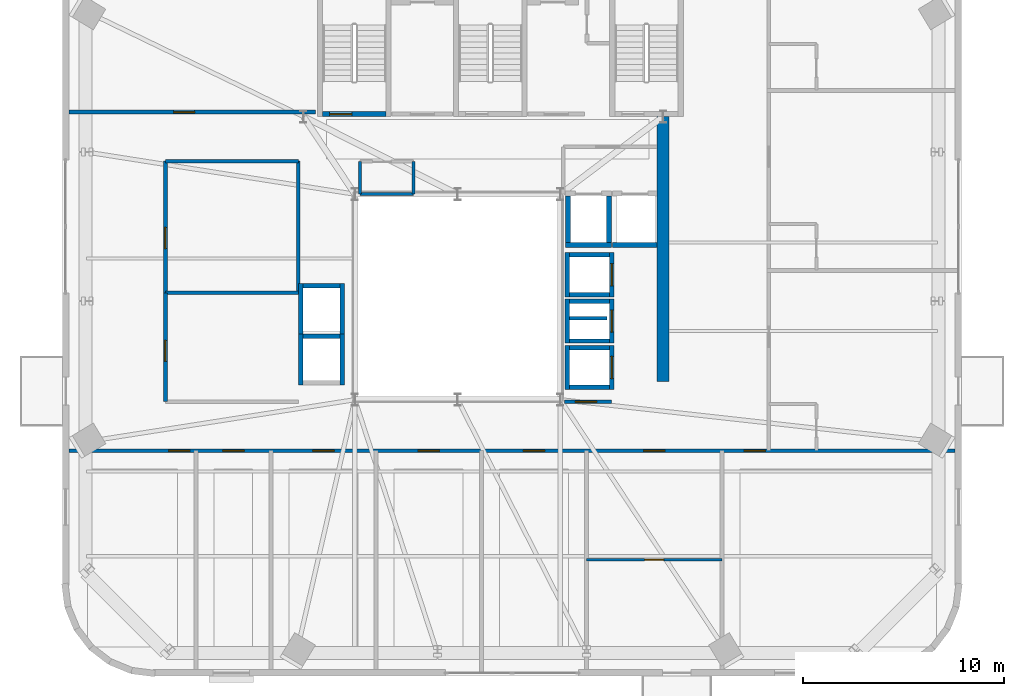
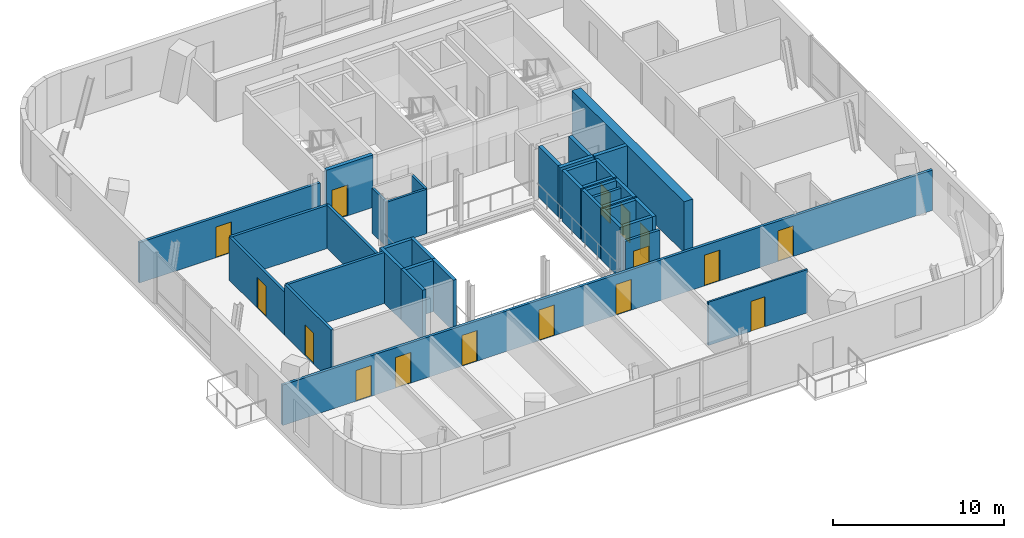
# One storey, part 8 of 15: 37 walls, 16 doors, 16 openings.
"""IFC4 building model written with IfcOpenShell, lengths in metres."""

from ifc_helpers import new_model, si_unit, direction, frame, frame_2d, origin, place, context, subcontext, project, spatial, rectangle, extrude, source, transform, mapped, material, layer, layer_set, type_object, element, fill, save


model = new_model("IFC4")

# Units and contexts
model_context = context("Model", 3, precision=1e-05, world=origin(), true_north=direction((0.0, 1.0)))
body_context = subcontext(model_context, "Body", "Model", "MODEL_VIEW")
ifc_project = project(units=[si_unit("LENGTHUNIT", "METRE"), si_unit("AREAUNIT", "SQUARE_METRE"), si_unit("VOLUMEUNIT", "CUBIC_METRE"), si_unit("PLANEANGLEUNIT", "RADIAN"), si_unit("MASSUNIT", "GRAM", prefix="KILO")], contexts=[model_context])

# Site, building, storey
site_placement = place(None, origin())
site = spatial("IfcSite", under=ifc_project, at=site_placement, CompositionType="ELEMENT")
building_placement = place(site_placement, origin())
building = spatial("IfcBuilding", under=site, at=building_placement, Name="Vardaveli Station Tower", CompositionType="ELEMENT")
storey_placement = place(building_placement, frame((0.0, 0.0, 262.449951171875)))
storey = spatial("IfcBuildingStorey", under=building, at=storey_placement, Name="L67", CompositionType="ELEMENT", Elevation=262.449951171875)

# Wall
ifc_material_1 = material(Name="Concrete C50/60", Category="concrete")
ifc_layer_1 = layer(ifc_material_1, 0.60009765625, Name="Concrete C50/60")
ifc_layer_set_1 = layer_set([ifc_layer_1], Name="Concrete C50/60")
wall_type_1 = type_object("IfcWallType", Name="WAL-CORE-600", PredefinedType="SHEAR", material=ifc_layer_set_1)
shared_shape_1 = source(origin(), body_context, "Body", "SweptSolid", [
    extrude(rectangle(XDim=13.14990234375, YDim=0.60009765625, at=frame_2d((6.574951171875, 0.0))), origin(), (0.0, 0.0, 1.0), 3.650146484375),
])
wall_1_placement = place(storey_placement, frame((46.5, 17.5, 0.0), z_axis=(0.0, 0.0, 1.0), x_axis=(0.0, 1.0, 0.0)))
element("IfcWall", 1, at=wall_1_placement, inside=storey, type_object=wall_type_1, Name="SW-L67-EAST2", PredefinedType="SHEAR", context=body_context, shape_type="MappedRepresentation", body=[
    mapped(shared_shape_1, transform((0.0, 0.0, 0.0), scale=1.0)),
])

# Wall, opening, door
ifc_material_2 = material(Name="Concrete C40/50", Category="concrete")
ifc_layer_2 = layer(ifc_material_2, 0.25, Name="Concrete C40/50")
ifc_layer_set_2 = layer_set([ifc_layer_2], Name="Concrete C40/50")
wall_type_2 = type_object("IfcWallType", Name="WAL-SHAFT-250", PredefinedType="SOLIDWALL", material=ifc_layer_set_2)
shared_shape_2 = source(origin(), body_context, "Body", "SweptSolid", [
    extrude(rectangle(XDim=3.14990234375, YDim=0.25, at=frame_2d((1.574951171875, 0.0))), origin(), (0.0, 0.0, 1.0), 3.75),
])
wall_2_placement = place(storey_placement, frame((29.60009765625, 30.77490234375, 0.0), z_axis=(0.0, 0.0, 1.0), x_axis=(1.0, 0.0, 0.0)))
wall_2 = element("IfcWall", 2, at=wall_2_placement, inside=storey, type_object=wall_type_2, Name="W-L67-ST-1S", PredefinedType="SOLIDWALL", context=body_context, shape_type="MappedRepresentation", body=[
    mapped(shared_shape_2, transform((0.0, 0.0, 0.0), scale=1.0)),
])
shared_shape_3 = source(origin(), body_context, "Body", "SweptSolid", [
    extrude(rectangle(XDim=1.10009765625, YDim=2.199951171875, at=frame_2d((0.550048828125, 1.10009765625))), frame((0.0, 0.135009765625, 0.0), z_axis=(0.0, -1.0, 0.0), x_axis=(1.0, 0.0, 0.0)), (0.0, 0.0, 1.0), 0.27001953125),
])
opening_1_placement = place(wall_2_placement, frame((0.35009765625, 0.0, 0.0)))
opening_1 = element("IfcOpeningElement", 3, at=opening_1_placement, cuts=wall_2, Name="Opening D-04", PredefinedType="OPENING", context=body_context, shape_type="MappedRepresentation", body=[
    mapped(shared_shape_3, transform((0.0, 0.0, 0.0), scale=1.0)),
])
ifc_material_3 = material(Name="Steel smokeproof fire doorset", Category="steel")
door_type_1 = type_object("IfcDoorType", Name="DR-ST-1100x2200", OperationType="NOTDEFINED", PredefinedType="DOOR", material=ifc_material_3)
shared_shape_4 = source(origin(), body_context, "Body", "SweptSolid", [
    extrude(rectangle(XDim=1.10009765625, YDim=2.199951171875, at=frame_2d((0.550048828125, 1.10009765625))), frame((0.0, 0.02490234375, 0.0), z_axis=(0.0, -1.0, 0.0), x_axis=(1.0, 0.0, 0.0)), (0.0, 0.0, 1.0), 0.050048828125),
])
door_1_placement = place(opening_1_placement, origin())
door_1 = element("IfcDoor", 4, at=door_1_placement, inside=storey, type_object=door_type_1, Name="DST-1-L67", OperationType="SINGLE_SWING_LEFT", OverallHeight=2.199951171875, OverallWidth=1.10009765625, PredefinedType="DOOR", context=body_context, shape_type="MappedRepresentation", body=[
    mapped(shared_shape_4, transform((0.0, 0.0, 0.0), scale=1.0)),
])
fill(opening_1, door_1)

# Walls
ifc_layer_3 = layer(ifc_material_2, 0.219970703125, Name="Concrete C40/50")
ifc_layer_set_3 = layer_set([ifc_layer_3], Name="Concrete C40/50")
wall_type_3 = type_object("IfcWallType", Name="WAL-FFLOBBY-220", PredefinedType="SOLIDWALL", material=ifc_layer_set_3)
shared_shape_5 = source(origin(), body_context, "Body", "SweptSolid", [
    extrude(rectangle(XDim=2.0, YDim=0.219970703125, at=frame_2d((1.0, 0.0))), origin(), (0.0, 0.0, 1.0), 3.650146484375),
])
for number, where, z_axis, x_axis, name in (
    (5, (41.85009765625, 21.81494140625, 0.0), (0.0, 0.0, 1.0), (1.0, 0.0, 0.0), "SHW-HL3-01-L67-S"),
    (6, (41.85009765625, 23.784912109375, 0.0), (0.0, 0.0, 1.0), (1.0, 0.0, 0.0), "SHW-HL3-01-L67-N"),
    (7, (41.85009765625, 19.514892578125, 0.0), (0.0, 0.0, 1.0), (1.0, 0.0, 0.0), "SHW-HL3-02-L67-S"),
    (8, (41.85009765625, 21.485107421875, 0.0), (0.0, 0.0, 1.0), (1.0, 0.0, 0.0), "SHW-HL3-02-L67-N"),
    (9, (41.85009765625, 17.215087890625, 0.0), (0.0, 0.0, 1.0), (1.0, 0.0, 0.0), "SHW-HL3-03-L67-S"),
    (10, (41.85009765625, 19.18505859375, 0.0), (0.0, 0.0, 1.0), (1.0, 0.0, 0.0), "SHW-HL3-03-L67-N"),
):
    element("IfcWall", number, at=place(storey_placement, frame(where, z_axis=z_axis, x_axis=x_axis)), inside=storey, type_object=wall_type_3, Name=name, PredefinedType="SOLIDWALL", context=body_context, shape_type="MappedRepresentation", body=[
        mapped(shared_shape_5, transform((0.0, 0.0, 0.0), scale=1.0)),
    ])
shared_shape_6 = source(origin(), body_context, "Body", "SweptSolid", [
    extrude(rectangle(XDim=2.18994140625, YDim=0.219970703125, at=frame_2d((1.094970703125, 0.0))), origin(), (0.0, 0.0, 1.0), 3.650146484375),
])
wall_3_placement = place(storey_placement, frame((41.739990234375, 21.705078125, 0.0), z_axis=(0.0, 0.0, 1.0), x_axis=(0.0, 1.0, 0.0)))
element("IfcWall", 11, at=wall_3_placement, inside=storey, type_object=wall_type_3, Name="SHW-HL3-01-L67-W", PredefinedType="SOLIDWALL", context=body_context, shape_type="MappedRepresentation", body=[
    mapped(shared_shape_6, transform((0.0, 0.0, 0.0), scale=1.0)),
])

# Wall, opening, door
wall_4_placement = place(storey_placement, frame((43.9599609375, 21.705078125, 0.0), z_axis=(0.0, 0.0, 1.0), x_axis=(0.0, 1.0, 0.0)))
wall_4 = element("IfcWall", 12, at=wall_4_placement, inside=storey, type_object=wall_type_3, Name="SHW-HL3-01-L67-E", PredefinedType="SOLIDWALL", context=body_context, shape_type="MappedRepresentation", body=[
    mapped(shared_shape_6, transform((0.0, 0.0, 0.0), scale=1.0)),
])
shared_shape_7 = source(origin(), body_context, "Body", "SweptSolid", [
    extrude(rectangle(XDim=1.10009765625, YDim=2.199951171875, at=frame_2d((0.550048828125, 1.10009765625))), frame((0.0, 0.1201171875, 0.0), z_axis=(0.0, -1.0, 0.0), x_axis=(1.0, 0.0, 0.0)), (0.0, 0.0, 1.0), 0.239990234375),
])
opening_2_placement = place(wall_4_placement, frame((0.544921875, 0.0, 0.0)))
opening_2 = element("IfcOpeningElement", 13, at=opening_2_placement, cuts=wall_4, Name="Opening LD-01", PredefinedType="OPENING", context=body_context, shape_type="MappedRepresentation", body=[
    mapped(shared_shape_7, transform((0.0, 0.0, 0.0), scale=1.0)),
])
ifc_material_4 = material(Name="Brushed stainless steel", Category="steel")
door_type_2 = type_object("IfcDoorType", Name="DR-LD-1100x2200", OperationType="DOUBLE_DOOR_SLIDING", PredefinedType="DOOR", material=ifc_material_4)
door_2_placement = place(opening_2_placement, origin())
door_2 = element("IfcDoor", 14, at=door_2_placement, inside=storey, type_object=door_type_2, Name="LD-HL3-01-L67", OperationType="DOUBLE_DOOR_SLIDING", OverallHeight=2.199951171875, OverallWidth=1.10009765625, PredefinedType="DOOR", context=body_context, shape_type="MappedRepresentation", body=[
    mapped(shared_shape_4, transform((0.0, 0.0, 0.0), scale=1.0)),
])
fill(opening_2, door_2)

# Wall
wall_5_placement = place(storey_placement, frame((41.739990234375, 19.405029296875, 0.0), z_axis=(0.0, 0.0, 1.0), x_axis=(0.0, 1.0, 0.0)))
element("IfcWall", 15, at=wall_5_placement, inside=storey, type_object=wall_type_3, Name="SHW-HL3-02-L67-W", PredefinedType="SOLIDWALL", context=body_context, shape_type="MappedRepresentation", body=[
    mapped(shared_shape_6, transform((0.0, 0.0, 0.0), scale=1.0)),
])

# Wall, opening, door
wall_6_placement = place(storey_placement, frame((43.9599609375, 19.405029296875, 0.0), z_axis=(0.0, 0.0, 1.0), x_axis=(0.0, 1.0, 0.0)))
wall_6 = element("IfcWall", 16, at=wall_6_placement, inside=storey, type_object=wall_type_3, Name="SHW-HL3-02-L67-E", PredefinedType="SOLIDWALL", context=body_context, shape_type="MappedRepresentation", body=[
    mapped(shared_shape_6, transform((0.0, 0.0, 0.0), scale=1.0)),
])
opening_3_placement = place(wall_6_placement, frame((0.544921875, 0.0, 0.0)))
opening_3 = element("IfcOpeningElement", 17, at=opening_3_placement, cuts=wall_6, Name="Opening LD-01", PredefinedType="OPENING", context=body_context, shape_type="MappedRepresentation", body=[
    mapped(shared_shape_7, transform((0.0, 0.0, 0.0), scale=1.0)),
])
door_3_placement = place(opening_3_placement, origin())
door_3 = element("IfcDoor", 18, at=door_3_placement, inside=storey, type_object=door_type_2, Name="LD-HL3-02-L67", OperationType="DOUBLE_DOOR_SLIDING", OverallHeight=2.199951171875, OverallWidth=1.10009765625, PredefinedType="DOOR", context=body_context, shape_type="MappedRepresentation", body=[
    mapped(shared_shape_4, transform((0.0, 0.0, 0.0), scale=1.0)),
])
fill(opening_3, door_3)

# Wall
wall_7_placement = place(storey_placement, frame((41.739990234375, 17.10498046875, 0.0), z_axis=(0.0, 0.0, 1.0), x_axis=(0.0, 1.0, 0.0)))
element("IfcWall", 19, at=wall_7_placement, inside=storey, type_object=wall_type_3, Name="SHW-HL3-03-L67-W", PredefinedType="SOLIDWALL", context=body_context, shape_type="MappedRepresentation", body=[
    mapped(shared_shape_6, transform((0.0, 0.0, 0.0), scale=1.0)),
])

# Wall, opening, door
wall_8_placement = place(storey_placement, frame((43.9599609375, 17.10498046875, 0.0), z_axis=(0.0, 0.0, 1.0), x_axis=(0.0, 1.0, 0.0)))
wall_8 = element("IfcWall", 20, at=wall_8_placement, inside=storey, type_object=wall_type_3, Name="SHW-HL3-03-L67-E", PredefinedType="SOLIDWALL", context=body_context, shape_type="MappedRepresentation", body=[
    mapped(shared_shape_6, transform((0.0, 0.0, 0.0), scale=1.0)),
])
opening_4_placement = place(wall_8_placement, frame((0.544921875, 0.0, 0.0)))
opening_4 = element("IfcOpeningElement", 21, at=opening_4_placement, cuts=wall_8, Name="Opening LD-01", PredefinedType="OPENING", context=body_context, shape_type="MappedRepresentation", body=[
    mapped(shared_shape_7, transform((0.0, 0.0, 0.0), scale=1.0)),
])
door_4_placement = place(opening_4_placement, origin())
door_4 = element("IfcDoor", 22, at=door_4_placement, inside=storey, type_object=door_type_2, Name="LD-HL3-03-L67", OperationType="DOUBLE_DOOR_SLIDING", OverallHeight=2.199951171875, OverallWidth=1.10009765625, PredefinedType="DOOR", context=body_context, shape_type="MappedRepresentation", body=[
    mapped(shared_shape_4, transform((0.0, 0.0, 0.0), scale=1.0)),
])
fill(opening_4, door_4)

# Walls
shared_shape_8 = source(origin(), body_context, "Body", "SweptSolid", [
    extrude(rectangle(XDim=1.85009765625, YDim=0.219970703125, at=frame_2d((0.925048828125, 0.0))), origin(), (0.0, 0.0, 1.0), 3.650146484375),
])
for number, where, z_axis, x_axis, name in (
    (23, (28.625, 19.760009765625, 0.0), (0.0, 0.0, 1.0), (1.0, 0.0, 0.0), "SHW-OBS-01-L67-N"),
    (24, (28.625, 22.260009765625, 0.0), (0.0, 0.0, 1.0), (1.0, 0.0, 0.0), "SHW-OBS-02-L67-N"),
):
    element("IfcWall", number, at=place(storey_placement, frame(where, z_axis=z_axis, x_axis=x_axis)), inside=storey, type_object=wall_type_3, Name=name, PredefinedType="SOLIDWALL", context=body_context, shape_type="MappedRepresentation", body=[
        mapped(shared_shape_8, transform((0.0, 0.0, 0.0), scale=1.0)),
    ])
shared_shape_9 = source(origin(), body_context, "Body", "SweptSolid", [
    extrude(rectangle(XDim=2.5400390625, YDim=0.219970703125, at=frame_2d((1.27001953125, 0.0))), origin(), (0.0, 0.0, 1.0), 3.650146484375),
])
for number, where, z_axis, x_axis, name in (
    (25, (28.514892578125, 17.330078125, 0.0), (0.0, 0.0, 1.0), (0.0, 1.0, 0.0), "SHW-OBS-01-L67-W"),
    (26, (30.5849609375, 17.330078125, 0.0), (0.0, 0.0, 1.0), (0.0, 1.0, 0.0), "SHW-OBS-01-L67-E"),
    (27, (28.514892578125, 19.830078125, 0.0), (0.0, 0.0, 1.0), (0.0, 1.0, 0.0), "SHW-OBS-02-L67-W"),
    (28, (30.5849609375, 19.830078125, 0.0), (0.0, 0.0, 1.0), (0.0, 1.0, 0.0), "SHW-OBS-02-L67-E"),
):
    element("IfcWall", number, at=place(storey_placement, frame(where, z_axis=z_axis, x_axis=x_axis)), inside=storey, type_object=wall_type_3, Name=name, PredefinedType="SOLIDWALL", context=body_context, shape_type="MappedRepresentation", body=[
        mapped(shared_shape_9, transform((0.0, 0.0, 0.0), scale=1.0)),
    ])
shared_shape_10 = source(origin(), body_context, "Body", "SweptSolid", [
    extrude(rectangle(XDim=2.300048828125, YDim=0.25, at=frame_2d((1.14990234375, 0.0))), origin(), (0.0, 0.0, 1.0), 3.650146484375),
])
for number, where, z_axis, x_axis, name in (
    (29, (41.64990234375, 24.27490234375, 0.0), (0.0, 0.0, 1.0), (1.0, 0.0, 0.0), "SHW-SRV-01-L67-S"),
    (30, (41.77490234375, 24.39990234375, 0.0), (0.0, 0.0, 1.0), (0.0, 1.0, 0.0), "SHW-SRV-01-L67-W"),
    (31, (43.824951171875, 24.39990234375, 0.0), (0.0, 0.0, 1.0), (0.0, 1.0, 0.0), "SHW-SRV-01-L67-E"),
):
    element("IfcWall", number, at=place(storey_placement, frame(where, z_axis=z_axis, x_axis=x_axis)), inside=storey, type_object=wall_type_2, Name=name, PredefinedType="SOLIDWALL", context=body_context, shape_type="MappedRepresentation", body=[
        mapped(shared_shape_10, transform((0.0, 0.0, 0.0), scale=1.0)),
    ])
shared_shape_11 = source(origin(), body_context, "Body", "SweptSolid", [
    extrude(rectangle(XDim=2.199951171875, YDim=0.25, at=frame_2d((1.10009765625, 0.0))), origin(), (0.0, 0.0, 1.0), 3.650146484375),
])
wall_9_placement = place(storey_placement, frame((44.0, 24.27490234375, 0.0), z_axis=(0.0, 0.0, 1.0), x_axis=(1.0, 0.0, 0.0)))
element("IfcWall", 32, at=wall_9_placement, inside=storey, type_object=wall_type_2, Name="SHW-SRV-02-L67-S", PredefinedType="SOLIDWALL", context=body_context, shape_type="MappedRepresentation", body=[
    mapped(shared_shape_11, transform((0.0, 0.0, 0.0), scale=1.0)),
])

# Wall, opening, door
ifc_material_5 = material(Name="Fire-rated gypsum stud partition")
ifc_layer_4 = layer(ifc_material_5, 0.179931640625, Name="Fire-rated gypsum stud partition")
ifc_layer_set_4 = layer_set([ifc_layer_4], Name="Fire-rated gypsum stud partition")
wall_type_4 = type_object("IfcWallType", Name="WAL-CORR-180", PredefinedType="PARTITIONING", material=ifc_layer_set_4)
shared_shape_12 = source(origin(), body_context, "Body", "SweptSolid", [
    extrude(rectangle(XDim=2.329833984375, YDim=0.179931640625, at=frame_2d((1.1650390625, 0.0))), origin(), (0.0, 0.0, 1.0), 3.092041015625),
])
wall_10_placement = place(storey_placement, frame((41.60009765625, 16.5, 0.0), z_axis=(0.0, 0.0, 1.0), x_axis=(1.0, 0.0, 0.0)))
wall_10 = element("IfcWall", 33, at=wall_10_placement, inside=storey, type_object=wall_type_4, Name="W-L67-ATE-S", PredefinedType="PARTITIONING", context=body_context, shape_type="MappedRepresentation", body=[
    mapped(shared_shape_12, transform((0.0, 0.0, 0.0), scale=1.0)),
])
shared_shape_13 = source(origin(), body_context, "Body", "SweptSolid", [
    extrude(rectangle(XDim=1.050048828125, YDim=2.199951171875, at=frame_2d((0.52490234375, 1.10009765625))), frame((0.0, 0.10009765625, 0.0), z_axis=(0.0, -1.0, 0.0), x_axis=(1.0, 0.0, 0.0)), (0.0, 0.0, 1.0), 0.199951171875),
])
opening_5_placement = place(wall_10_placement, frame((0.550048828125, 0.0, 0.0)))
opening_5 = element("IfcOpeningElement", 34, at=opening_5_placement, cuts=wall_10, Name="Opening D-05", PredefinedType="OPENING", context=body_context, shape_type="MappedRepresentation", body=[
    mapped(shared_shape_13, transform((0.0, 0.0, 0.0), scale=1.0)),
])
ifc_material_6 = material(Name="Walnut veneer acoustic fire door")
door_type_3 = type_object("IfcDoorType", Name="DR-SUITE-1050x2200", OperationType="NOTDEFINED", PredefinedType="DOOR", material=ifc_material_6)
shared_shape_14 = source(origin(), body_context, "Body", "SweptSolid", [
    extrude(rectangle(XDim=1.050048828125, YDim=2.199951171875, at=frame_2d((0.52490234375, 1.10009765625))), frame((0.0, 0.02490234375, 0.0), z_axis=(0.0, -1.0, 0.0), x_axis=(1.0, 0.0, 0.0)), (0.0, 0.0, 1.0), 0.050048828125),
])
door_5_placement = place(opening_5_placement, origin())
door_5 = element("IfcDoor", 35, at=door_5_placement, inside=storey, type_object=door_type_3, Name="D-L67-ATE1", OperationType="SINGLE_SWING_RIGHT", OverallHeight=2.199951171875, OverallWidth=1.050048828125, PredefinedType="DOOR", context=body_context, shape_type="MappedRepresentation", body=[
    mapped(shared_shape_14, transform((0.0, 0.0, 0.0), scale=1.0)),
])
fill(opening_5, door_5)

# Wall
shared_shape_15 = source(origin(), body_context, "Body", "SweptSolid", [
    extrude(rectangle(XDim=6.599853515625, YDim=0.179931640625, at=frame_2d((3.2998046875, 0.0))), origin(), (0.0, 0.0, 1.0), 3.092041015625),
])
wall_11_placement = place(storey_placement, frame((21.800048828125, 28.43994140625, 0.0), z_axis=(0.0, 0.0, 1.0), x_axis=(1.0, 0.0, 0.0)))
element("IfcWall", 36, at=wall_11_placement, inside=storey, type_object=wall_type_4, Name="W-L67-ATW2-N", PredefinedType="PARTITIONING", context=body_context, shape_type="MappedRepresentation", body=[
    mapped(shared_shape_15, transform((0.0, 0.0, 0.0), scale=1.0)),
])

# Wall, openings, doors
shared_shape_16 = source(origin(), body_context, "Body", "SweptSolid", [
    extrude(rectangle(XDim=43.99609375, YDim=0.179931640625, at=frame_2d((21.998046875, 0.0))), origin(), (0.0, 0.0, 1.0), 2.89208984375),
])
wall_12_placement = place(storey_placement, frame((17.001953125, 14.070068359375, 0.0), z_axis=(0.0, 0.0, 1.0), x_axis=(1.0, 0.0, 0.0)))
wall_12 = element("IfcWall", 37, at=wall_12_placement, inside=storey, type_object=wall_type_4, Name="W-L67-CS", PredefinedType="PARTITIONING", context=body_context, shape_type="MappedRepresentation", body=[
    mapped(shared_shape_16, transform((0.0, 0.0, 0.0), scale=1.0)),
])
opening_6_placement = place(wall_12_placement, frame((4.955078125, 0.0, 0.0)))
opening_6 = element("IfcOpeningElement", 38, at=opening_6_placement, cuts=wall_12, Name="Opening D-05", PredefinedType="OPENING", context=body_context, shape_type="MappedRepresentation", body=[
    mapped(shared_shape_13, transform((0.0, 0.0, 0.0), scale=1.0)),
])
opening_7_placement = place(wall_12_placement, frame((7.646484375, 0.0, 0.0)))
opening_7 = element("IfcOpeningElement", 39, at=opening_7_placement, cuts=wall_12, Name="Opening D-05", PredefinedType="OPENING", context=body_context, shape_type="MappedRepresentation", body=[
    mapped(shared_shape_13, transform((0.0, 0.0, 0.0), scale=1.0)),
])
opening_8_placement = place(wall_12_placement, frame((12.118896484375, 0.0, 0.0)))
opening_8 = element("IfcOpeningElement", 40, at=opening_8_placement, cuts=wall_12, Name="Opening D-05", PredefinedType="OPENING", context=body_context, shape_type="MappedRepresentation", body=[
    mapped(shared_shape_13, transform((0.0, 0.0, 0.0), scale=1.0)),
])
opening_9_placement = place(wall_12_placement, frame((17.341552734375, 0.0, 0.0)))
opening_9 = element("IfcOpeningElement", 41, at=opening_9_placement, cuts=wall_12, Name="Opening D-05", PredefinedType="OPENING", context=body_context, shape_type="MappedRepresentation", body=[
    mapped(shared_shape_13, transform((0.0, 0.0, 0.0), scale=1.0)),
])
opening_10_placement = place(wall_12_placement, frame((22.564208984375, 0.0, 0.0)))
opening_10 = element("IfcOpeningElement", 42, at=opening_10_placement, cuts=wall_12, Name="Opening D-05", PredefinedType="OPENING", context=body_context, shape_type="MappedRepresentation", body=[
    mapped(shared_shape_13, transform((0.0, 0.0, 0.0), scale=1.0)),
])
opening_11_placement = place(wall_12_placement, frame((28.53662109375, 0.0, 0.0)))
opening_11 = element("IfcOpeningElement", 43, at=opening_11_placement, cuts=wall_12, Name="Opening D-05", PredefinedType="OPENING", context=body_context, shape_type="MappedRepresentation", body=[
    mapped(shared_shape_13, transform((0.0, 0.0, 0.0), scale=1.0)),
])
opening_12_placement = place(wall_12_placement, frame((33.51806640625, 0.0, 0.0)))
opening_12 = element("IfcOpeningElement", 44, at=opening_12_placement, cuts=wall_12, Name="Opening D-05", PredefinedType="OPENING", context=body_context, shape_type="MappedRepresentation", body=[
    mapped(shared_shape_13, transform((0.0, 0.0, 0.0), scale=1.0)),
])
door_6_placement = place(opening_6_placement, origin())
door_6 = element("IfcDoor", 45, at=door_6_placement, inside=storey, type_object=door_type_3, Name="D-L67-SA1", OperationType="SINGLE_SWING_LEFT", OverallHeight=2.199951171875, OverallWidth=1.050048828125, PredefinedType="DOOR", context=body_context, shape_type="MappedRepresentation", body=[
    mapped(shared_shape_14, transform((0.0, 0.0, 0.0), scale=1.0)),
])
fill(opening_6, door_6)
door_7_placement = place(opening_7_placement, origin())
door_7 = element("IfcDoor", 46, at=door_7_placement, inside=storey, type_object=door_type_3, Name="D-L67-SA2", OperationType="SINGLE_SWING_RIGHT", OverallHeight=2.199951171875, OverallWidth=1.050048828125, PredefinedType="DOOR", context=body_context, shape_type="MappedRepresentation", body=[
    mapped(shared_shape_14, transform((0.0, 0.0, 0.0), scale=1.0)),
])
fill(opening_7, door_7)
door_8_placement = place(opening_8_placement, origin())
door_8 = element("IfcDoor", 47, at=door_8_placement, inside=storey, type_object=door_type_3, Name="D-L67-SA3", OperationType="SINGLE_SWING_LEFT", OverallHeight=2.199951171875, OverallWidth=1.050048828125, PredefinedType="DOOR", context=body_context, shape_type="MappedRepresentation", body=[
    mapped(shared_shape_14, transform((0.0, 0.0, 0.0), scale=1.0)),
])
fill(opening_8, door_8)
door_9_placement = place(opening_9_placement, origin())
door_9 = element("IfcDoor", 48, at=door_9_placement, inside=storey, type_object=door_type_3, Name="D-L67-SA4", OperationType="SINGLE_SWING_RIGHT", OverallHeight=2.199951171875, OverallWidth=1.050048828125, PredefinedType="DOOR", context=body_context, shape_type="MappedRepresentation", body=[
    mapped(shared_shape_14, transform((0.0, 0.0, 0.0), scale=1.0)),
])
fill(opening_9, door_9)
door_10_placement = place(opening_10_placement, origin())
door_10 = element("IfcDoor", 49, at=door_10_placement, inside=storey, type_object=door_type_3, Name="D-L67-SA5", OperationType="SINGLE_SWING_LEFT", OverallHeight=2.199951171875, OverallWidth=1.050048828125, PredefinedType="DOOR", context=body_context, shape_type="MappedRepresentation", body=[
    mapped(shared_shape_14, transform((0.0, 0.0, 0.0), scale=1.0)),
])
fill(opening_10, door_10)
door_11_placement = place(opening_11_placement, origin())
door_11 = element("IfcDoor", 50, at=door_11_placement, inside=storey, type_object=door_type_3, Name="D-L67-SCB6", OperationType="SINGLE_SWING_RIGHT", OverallHeight=2.199951171875, OverallWidth=1.050048828125, PredefinedType="DOOR", context=body_context, shape_type="MappedRepresentation", body=[
    mapped(shared_shape_14, transform((0.0, 0.0, 0.0), scale=1.0)),
])
fill(opening_11, door_11)
door_12_placement = place(opening_12_placement, origin())
door_12 = element("IfcDoor", 51, at=door_12_placement, inside=storey, type_object=door_type_3, Name="D-L67-SA7", OperationType="SINGLE_SWING_LEFT", OverallHeight=2.199951171875, OverallWidth=1.050048828125, PredefinedType="DOOR", context=body_context, shape_type="MappedRepresentation", body=[
    mapped(shared_shape_14, transform((0.0, 0.0, 0.0), scale=1.0)),
])
fill(opening_12, door_12)

# Wall, opening, door
shared_shape_17 = source(origin(), body_context, "Body", "SweptSolid", [
    extrude(rectangle(XDim=12.248046875, YDim=0.179931640625, at=frame_2d((6.1240234375, 0.0))), origin(), (0.0, 0.0, 1.0), 2.89208984375),
])
wall_13_placement = place(storey_placement, frame((17.001953125, 30.8798828125, 0.0), z_axis=(0.0, 0.0, 1.0), x_axis=(1.0, 0.0, 0.0)))
wall_13 = element("IfcWall", 52, at=wall_13_placement, inside=storey, type_object=wall_type_4, Name="W-L67-CNWS", PredefinedType="PARTITIONING", context=body_context, shape_type="MappedRepresentation", body=[
    mapped(shared_shape_17, transform((0.0, 0.0, 0.0), scale=1.0)),
])
opening_13_placement = place(wall_13_placement, frame((5.197998046875, 0.0, 0.0)))
opening_13 = element("IfcOpeningElement", 53, at=opening_13_placement, cuts=wall_13, Name="Opening D-05", PredefinedType="OPENING", context=body_context, shape_type="MappedRepresentation", body=[
    mapped(shared_shape_13, transform((0.0, 0.0, 0.0), scale=1.0)),
])
door_13_placement = place(opening_13_placement, origin())
door_13 = element("IfcDoor", 54, at=door_13_placement, inside=storey, type_object=door_type_3, Name="D-L67-GNW1", OperationType="SINGLE_SWING_RIGHT", OverallHeight=2.199951171875, OverallWidth=1.050048828125, PredefinedType="DOOR", context=body_context, shape_type="MappedRepresentation", body=[
    mapped(shared_shape_14, transform((0.0, 0.0, 0.0), scale=1.0)),
])
fill(opening_13, door_13)

ifc_material_7 = material(Name="Gypsum board stud partition")
ifc_layer_5 = layer(ifc_material_7, 0.125, Name="Gypsum board stud partition")
ifc_layer_set_5 = layer_set([ifc_layer_5], Name="Gypsum board stud partition")
wall_type_5 = type_object("IfcWallType", Name="WAL-INT-125", PredefinedType="PARTITIONING", material=ifc_layer_set_5)
shared_shape_18 = source(origin(), body_context, "Body", "SweptSolid", [
    extrude(rectangle(XDim=6.722900390625, YDim=0.125, at=frame_2d((3.361328125, 0.0))), origin(), (0.0, 0.0, 1.0), 3.092041015625),
])
wall_14_placement = place(storey_placement, frame((42.697021484375, 8.64990234375, 0.0), z_axis=(0.0, 0.0, 1.0), x_axis=(1.0, 0.0, 0.0)))
wall_14 = element("IfcWall", 55, at=wall_14_placement, inside=storey, type_object=wall_type_5, Name="W-L67-SCM6", PredefinedType="PARTITIONING", context=body_context, shape_type="MappedRepresentation", body=[
    mapped(shared_shape_18, transform((0.0, 0.0, 0.0), scale=1.0)),
])
shared_shape_19 = source(origin(), body_context, "Body", "SweptSolid", [
    extrude(rectangle(XDim=0.949951171875, YDim=2.14990234375, at=frame_2d((0.47509765625, 1.074951171875))), frame((0.0, 0.072509765625, 0.0), z_axis=(0.0, -1.0, 0.0), x_axis=(1.0, 0.0, 0.0)), (0.0, 0.0, 1.0), 0.14501953125),
])
opening_14_placement = place(wall_14_placement, frame((2.88134765625, 0.0, 0.0)))
opening_14 = element("IfcOpeningElement", 56, at=opening_14_placement, cuts=wall_14, Name="Opening D-11", PredefinedType="OPENING", context=body_context, shape_type="MappedRepresentation", body=[
    mapped(shared_shape_19, transform((0.0, 0.0, 0.0), scale=1.0)),
])
ifc_material_8 = material(Name="Oak veneer internal suite door")
door_type_4 = type_object("IfcDoorType", Name="DR-INT-950x2150", OperationType="NOTDEFINED", PredefinedType="DOOR", material=ifc_material_8)
shared_shape_20 = source(origin(), body_context, "Body", "SweptSolid", [
    extrude(rectangle(XDim=0.949951171875, YDim=2.14990234375, at=frame_2d((0.47509765625, 1.074951171875))), frame((0.0, 0.02490234375, 0.0), z_axis=(0.0, -1.0, 0.0), x_axis=(1.0, 0.0, 0.0)), (0.0, 0.0, 1.0), 0.050048828125),
])
door_14_placement = place(opening_14_placement, origin())
door_14 = element("IfcDoor", 57, at=door_14_placement, inside=storey, type_object=door_type_4, Name="D-L67-SCF6", OperationType="SINGLE_SWING_LEFT", OverallHeight=2.14990234375, OverallWidth=0.949951171875, PredefinedType="DOOR", context=body_context, shape_type="MappedRepresentation", body=[
    mapped(shared_shape_20, transform((0.0, 0.0, 0.0), scale=1.0)),
])
fill(opening_14, door_14)

shared_shape_21 = source(origin(), body_context, "Body", "SweptSolid", [
    extrude(rectangle(XDim=6.5400390625, YDim=0.179931640625, at=frame_2d((3.27001953125, 0.0))), origin(), (0.0, 0.0, 1.0), 3.092041015625),
])
wall_15_placement = place(storey_placement, frame((21.800048828125, 21.89990234375, 0.0), z_axis=(0.0, 0.0, 1.0), x_axis=(0.0, 1.0, 0.0)))
wall_15 = element("IfcWall", 58, at=wall_15_placement, inside=storey, type_object=wall_type_4, Name="W-L67-ATW2-W", PredefinedType="PARTITIONING", context=body_context, shape_type="MappedRepresentation", body=[
    mapped(shared_shape_21, transform((0.0, 0.0, 0.0), scale=1.0)),
])
opening_15_placement = place(wall_15_placement, frame((2.199951171875, 0.0, 0.0)))
opening_15 = element("IfcOpeningElement", 59, at=opening_15_placement, cuts=wall_15, Name="Opening D-05", PredefinedType="OPENING", context=body_context, shape_type="MappedRepresentation", body=[
    mapped(shared_shape_13, transform((0.0, 0.0, 0.0), scale=1.0)),
])
door_15_placement = place(opening_15_placement, origin())
door_15 = element("IfcDoor", 60, at=door_15_placement, inside=storey, type_object=door_type_3, Name="D-L67-ATW2", OperationType="SINGLE_SWING_RIGHT", OverallHeight=2.199951171875, OverallWidth=1.050048828125, PredefinedType="DOOR", context=body_context, shape_type="MappedRepresentation", body=[
    mapped(shared_shape_14, transform((0.0, 0.0, 0.0), scale=1.0)),
])
fill(opening_15, door_15)

# Wall
wall_16_placement = place(storey_placement, frame((28.39990234375, 21.89990234375, 0.0), z_axis=(0.0, 0.0, 1.0), x_axis=(0.0, 1.0, 0.0)))
element("IfcWall", 61, at=wall_16_placement, inside=storey, type_object=wall_type_4, Name="W-L67-ATW2-E", PredefinedType="PARTITIONING", context=body_context, shape_type="MappedRepresentation", body=[
    mapped(shared_shape_21, transform((0.0, 0.0, 0.0), scale=1.0)),
])

# Wall, opening, door
shared_shape_22 = source(origin(), body_context, "Body", "SweptSolid", [
    extrude(rectangle(XDim=5.39990234375, YDim=0.179931640625, at=frame_2d((2.699951171875, 0.0))), origin(), (0.0, 0.0, 1.0), 3.650146484375),
])
wall_17_placement = place(storey_placement, frame((21.800048828125, 16.5, 0.0), z_axis=(0.0, 0.0, 1.0), x_axis=(0.0, 1.0, 0.0)))
wall_17 = element("IfcWall", 62, at=wall_17_placement, inside=storey, type_object=wall_type_4, Name="W-L67-ATW1-W", PredefinedType="PARTITIONING", context=body_context, shape_type="MappedRepresentation", body=[
    mapped(shared_shape_22, transform((0.0, 0.0, 0.0), scale=1.0)),
])
opening_16_placement = place(wall_17_placement, frame((2.0, 0.0, 0.0)))
opening_16 = element("IfcOpeningElement", 63, at=opening_16_placement, cuts=wall_17, Name="Opening D-05", PredefinedType="OPENING", context=body_context, shape_type="MappedRepresentation", body=[
    mapped(shared_shape_13, transform((0.0, 0.0, 0.0), scale=1.0)),
])
door_16_placement = place(opening_16_placement, origin())
door_16 = element("IfcDoor", 64, at=door_16_placement, inside=storey, type_object=door_type_3, Name="D-L67-ATW1", OperationType="SINGLE_SWING_LEFT", OverallHeight=2.199951171875, OverallWidth=1.050048828125, PredefinedType="DOOR", context=body_context, shape_type="MappedRepresentation", body=[
    mapped(shared_shape_14, transform((0.0, 0.0, 0.0), scale=1.0)),
])
fill(opening_16, door_16)

# Walls
shared_shape_23 = source(origin(), body_context, "Body", "SweptSolid", [
    extrude(rectangle(XDim=6.599853515625, YDim=0.179931640625, at=frame_2d((3.2998046875, 0.0))), origin(), (0.0, 0.0, 1.0), 3.650146484375),
])
wall_18_placement = place(storey_placement, frame((21.800048828125, 21.89990234375, 0.0), z_axis=(0.0, 0.0, 1.0), x_axis=(1.0, 0.0, 0.0)))
element("IfcWall", 65, at=wall_18_placement, inside=storey, type_object=wall_type_4, Name="W-L67-ATW1-N", PredefinedType="PARTITIONING", context=body_context, shape_type="MappedRepresentation", body=[
    mapped(shared_shape_23, transform((0.0, 0.0, 0.0), scale=1.0)),
])
ifc_material_9 = material(Name="Moisture-resistant stud partition")
ifc_layer_6 = layer(ifc_material_9, 0.14990234375, Name="Moisture-resistant stud partition")
ifc_layer_set_6 = layer_set([ifc_layer_6], Name="Moisture-resistant stud partition")
wall_type_6 = type_object("IfcWallType", Name="WAL-WET-150", PredefinedType="PARTITIONING", material=ifc_layer_set_6)
shared_shape_24 = source(origin(), body_context, "Body", "SweptSolid", [
    extrude(rectangle(XDim=2.670166015625, YDim=0.14990234375, at=frame_2d((1.3349609375, 0.0))), origin(), (0.0, 0.0, 1.0), 3.192138671875),
])
wall_19_placement = place(storey_placement, frame((31.449951171875, 26.820068359375, 0.0), z_axis=(0.0, 0.0, 1.0), x_axis=(1.0, 0.0, 0.0)))
element("IfcWall", 66, at=wall_19_placement, inside=storey, type_object=wall_type_6, Name="W-L67-WCA1-S", PredefinedType="PARTITIONING", context=body_context, shape_type="MappedRepresentation", body=[
    mapped(shared_shape_24, transform((0.0, 0.0, 0.0), scale=1.0)),
])
shared_shape_25 = source(origin(), body_context, "Body", "SweptSolid", [
    extrude(rectangle(XDim=1.85791015625, YDim=0.179931640625, at=frame_2d((0.928955078125, 0.0))), origin(), (0.0, 0.0, 1.0), 3.650146484375),
])
wall_20_placement = place(storey_placement, frame((41.85205078125, 20.64990234375, 0.0), z_axis=(0.0, 0.0, 1.0), x_axis=(1.0, 0.0, 0.0)))
element("IfcWall", 67, at=wall_20_placement, inside=storey, type_object=wall_type_4, Name="W-L67-ATE-N", PredefinedType="PARTITIONING", context=body_context, shape_type="MappedRepresentation", body=[
    mapped(shared_shape_25, transform((0.0, 0.0, 0.0), scale=1.0)),
])
shared_shape_26 = source(origin(), body_context, "Body", "SweptSolid", [
    extrude(rectangle(XDim=1.599853515625, YDim=0.14990234375, at=frame_2d((0.7998046875, 0.0))), origin(), (0.0, 0.0, 1.0), 3.192138671875),
])
for number, where, z_axis, x_axis, name in (
    (68, (31.449951171875, 26.820068359375, 0.0), (0.0, 0.0, 1.0), (0.0, 1.0, 0.0), "W-L67-WCA1-W"),
    (69, (34.1201171875, 26.820068359375, 0.0), (0.0, 0.0, 1.0), (0.0, 1.0, 0.0), "W-L67-WCA1-E"),
):
    element("IfcWall", number, at=place(storey_placement, frame(where, z_axis=z_axis, x_axis=x_axis)), inside=storey, type_object=wall_type_6, Name=name, PredefinedType="PARTITIONING", context=body_context, shape_type="MappedRepresentation", body=[
        mapped(shared_shape_26, transform((0.0, 0.0, 0.0), scale=1.0)),
    ])

save(model, "model.ifc")
